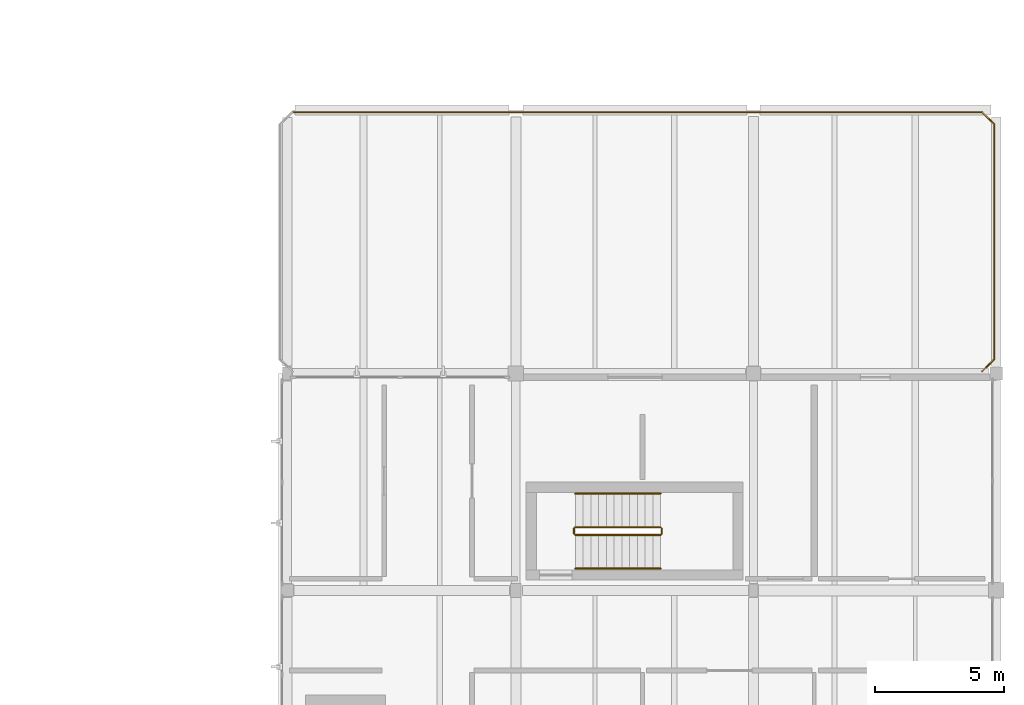
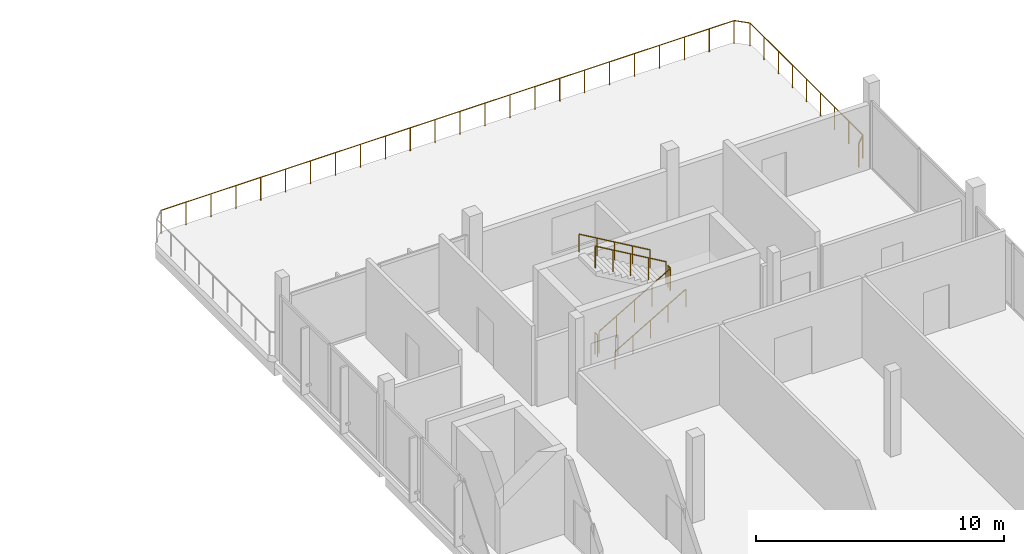
# One storey, part 41 of 41: 10 railings.
"""IFC4 building model written with IfcOpenShell, lengths in metres."""

from ifc_helpers import new_model, si_unit, direction, frame, origin, origin_2d, place, context, subcontext, project, spatial, circle, extrude, material, type_object, element, save


model = new_model("IFC4")

# Units and contexts
model_context = context("Model", 3, precision=1e-05, world=origin(), true_north=direction((0.0, 1.0)))
body_context = subcontext(model_context, "Body", "Model", "MODEL_VIEW")
ifc_project = project(units=[si_unit("LENGTHUNIT", "METRE"), si_unit("AREAUNIT", "SQUARE_METRE"), si_unit("VOLUMEUNIT", "CUBIC_METRE"), si_unit("PLANEANGLEUNIT", "RADIAN"), si_unit("MASSUNIT", "GRAM", prefix="KILO")], contexts=[model_context])

# Site, building, storey
site_placement = place(None, origin())
site = spatial("IfcSite", under=ifc_project, at=site_placement, CompositionType="ELEMENT")
building_placement = place(site_placement, origin())
building = spatial("IfcBuilding", under=site, at=building_placement, Name="Birchvale Park Specialist Clinic", CompositionType="ELEMENT")
storey_placement = place(building_placement, frame((0.0, 0.0, 9.60009765625)))
storey = spatial("IfcBuildingStorey", under=building, at=storey_placement, Name="L02", CompositionType="ELEMENT", Elevation=9.60009765625)

# Railings
ifc_material_1 = material(Name="Brushed stainless steel and laminated glass balustrade", Category="steel")
railing_type_1 = type_object("IfcRailingType", Name="RL-BAL2", PredefinedType="BALUSTRADE", material=ifc_material_1)
railing_1_placement = place(storey_placement, frame((155.25, 91.280029296875, 0.0)))
element("IfcRailing", 1, at=railing_1_placement, inside=storey, type_object=railing_type_1, Name="V6 L02 roof terrace guard balustrade 52", PredefinedType="BALUSTRADE", context=body_context, shape_type="SweptSolid", body=[
    extrude(circle(Radius=0.02392578125, at=origin_2d()), frame((0.0, 0.0, 1.1259765625), z_axis=(0.707106781187, 0.707106781187, 0.0), x_axis=(-0.707106781187, 0.707106781187, 0.0)), (0.0, 0.0, 1.0), 0.66455078125),
    extrude(circle(Radius=0.02099609375, at=origin_2d()), origin(), (0.0, 0.0, 1.0), 1.101806640625),
    extrude(circle(Radius=0.02099609375, at=origin_2d()), frame((0.469970703125, 0.469970703125, 0.0)), (0.0, 0.0, 1.0), 1.101806640625),
])
railing_2_placement = place(storey_placement, frame((155.719970703125, 91.75, 0.0)))
element("IfcRailing", 2, at=railing_2_placement, inside=storey, type_object=railing_type_1, Name="V6 L02 roof terrace guard balustrade 53", PredefinedType="BALUSTRADE", context=body_context, shape_type="SweptSolid", body=[
    extrude(circle(Radius=0.02392578125, at=origin_2d()), frame((0.0, 0.0, 1.1259765625), z_axis=(0.0, 1.0, 0.0), x_axis=(-1.0, 0.0, 0.0)), (0.0, 0.0, 1.0), 9.10009765625),
    extrude(circle(Radius=0.02099609375, at=origin_2d()), origin(), (0.0, 0.0, 1.0), 1.101806640625),
    extrude(circle(Radius=0.02099609375, at=origin_2d()), frame((0.0, 1.137451171875, 0.0)), (0.0, 0.0, 1.0), 1.101806640625),
    extrude(circle(Radius=0.02099609375, at=origin_2d()), frame((0.0, 2.27490234375, 0.0)), (0.0, 0.0, 1.0), 1.101806640625),
    extrude(circle(Radius=0.02099609375, at=origin_2d()), frame((0.0, 3.41259765625, 0.0)), (0.0, 0.0, 1.0), 1.101806640625),
    extrude(circle(Radius=0.02099609375, at=origin_2d()), frame((0.0, 4.550048828125, 0.0)), (0.0, 0.0, 1.0), 1.101806640625),
    extrude(circle(Radius=0.02099609375, at=origin_2d()), frame((0.0, 5.6875, 0.0)), (0.0, 0.0, 1.0), 1.101806640625),
    extrude(circle(Radius=0.02099609375, at=origin_2d()), frame((0.0, 6.8251953125, 0.0)), (0.0, 0.0, 1.0), 1.101806640625),
    extrude(circle(Radius=0.02099609375, at=origin_2d()), frame((0.0, 7.962646484375, 0.0)), (0.0, 0.0, 1.0), 1.101806640625),
    extrude(circle(Radius=0.02099609375, at=origin_2d()), frame((0.0, 9.10009765625, 0.0)), (0.0, 0.0, 1.0), 1.101806640625),
])
railing_3_placement = place(storey_placement, frame((155.719970703125, 100.85009765625, 0.0)))
element("IfcRailing", 3, at=railing_3_placement, inside=storey, type_object=railing_type_1, Name="V6 L02 roof terrace guard balustrade 54", PredefinedType="BALUSTRADE", context=body_context, shape_type="SweptSolid", body=[
    extrude(circle(Radius=0.02392578125, at=origin_2d()), frame((0.0, 0.0, 1.1259765625), z_axis=(-0.707106781187, 0.707106781187, 0.0), x_axis=(-0.707106781187, -0.707106781187, 0.0)), (0.0, 0.0, 1.0), 0.66455078125),
    extrude(circle(Radius=0.02099609375, at=origin_2d()), origin(), (0.0, 0.0, 1.0), 1.101806640625),
    extrude(circle(Radius=0.02099609375, at=origin_2d()), frame((-0.469970703125, 0.469970703125, 0.0)), (0.0, 0.0, 1.0), 1.101806640625),
])
railing_4_placement = place(storey_placement, frame((155.25, 101.320068359375, 0.0)))
element("IfcRailing", 4, at=railing_4_placement, inside=storey, type_object=railing_type_1, Name="V6 L02 roof terrace guard balustrade 55", PredefinedType="BALUSTRADE", context=body_context, shape_type="SweptSolid", body=[
    extrude(circle(Radius=0.02392578125, at=origin_2d()), frame((0.0, 0.0, 1.1259765625), z_axis=(-1.0, 0.0, 0.0), x_axis=(0.0, -1.0, 0.0)), (0.0, 0.0, 1.0), 26.699951171875),
    extrude(circle(Radius=0.02099609375, at=origin_2d()), origin(), (0.0, 0.0, 1.0), 1.101806640625),
    extrude(circle(Radius=0.02099609375, at=origin_2d()), frame((-1.160888671875, 0.0, 0.0)), (0.0, 0.0, 1.0), 1.101806640625),
    extrude(circle(Radius=0.02099609375, at=origin_2d()), frame((-2.32177734375, 0.0, 0.0)), (0.0, 0.0, 1.0), 1.101806640625),
    extrude(circle(Radius=0.02099609375, at=origin_2d()), frame((-3.482666015625, 0.0, 0.0)), (0.0, 0.0, 1.0), 1.101806640625),
    extrude(circle(Radius=0.02099609375, at=origin_2d()), frame((-4.6435546875, 0.0, 0.0)), (0.0, 0.0, 1.0), 1.101806640625),
    extrude(circle(Radius=0.02099609375, at=origin_2d()), frame((-5.804443359375, 0.0, 0.0)), (0.0, 0.0, 1.0), 1.101806640625),
    extrude(circle(Radius=0.02099609375, at=origin_2d()), frame((-6.965087890625, 0.0, 0.0)), (0.0, 0.0, 1.0), 1.101806640625),
    extrude(circle(Radius=0.02099609375, at=origin_2d()), frame((-8.1259765625, 0.0, 0.0)), (0.0, 0.0, 1.0), 1.101806640625),
    extrude(circle(Radius=0.02099609375, at=origin_2d()), frame((-9.286865234375, 0.0, 0.0)), (0.0, 0.0, 1.0), 1.101806640625),
    extrude(circle(Radius=0.02099609375, at=origin_2d()), frame((-10.44775390625, 0.0, 0.0)), (0.0, 0.0, 1.0), 1.101806640625),
    extrude(circle(Radius=0.02099609375, at=origin_2d()), frame((-11.608642578125, 0.0, 0.0)), (0.0, 0.0, 1.0), 1.101806640625),
    extrude(circle(Radius=0.02099609375, at=origin_2d()), frame((-12.76953125, 0.0, 0.0)), (0.0, 0.0, 1.0), 1.101806640625),
    extrude(circle(Radius=0.02099609375, at=origin_2d()), frame((-13.930419921875, 0.0, 0.0)), (0.0, 0.0, 1.0), 1.101806640625),
    extrude(circle(Radius=0.02099609375, at=origin_2d()), frame((-15.09130859375, 0.0, 0.0)), (0.0, 0.0, 1.0), 1.101806640625),
    extrude(circle(Radius=0.02099609375, at=origin_2d()), frame((-16.252197265625, 0.0, 0.0)), (0.0, 0.0, 1.0), 1.101806640625),
    extrude(circle(Radius=0.02099609375, at=origin_2d()), frame((-17.4130859375, 0.0, 0.0)), (0.0, 0.0, 1.0), 1.101806640625),
    extrude(circle(Radius=0.02099609375, at=origin_2d()), frame((-18.573974609375, 0.0, 0.0)), (0.0, 0.0, 1.0), 1.101806640625),
    extrude(circle(Radius=0.02099609375, at=origin_2d()), frame((-19.73486328125, 0.0, 0.0)), (0.0, 0.0, 1.0), 1.101806640625),
    extrude(circle(Radius=0.02099609375, at=origin_2d()), frame((-20.8955078125, 0.0, 0.0)), (0.0, 0.0, 1.0), 1.101806640625),
    extrude(circle(Radius=0.02099609375, at=origin_2d()), frame((-22.056396484375, 0.0, 0.0)), (0.0, 0.0, 1.0), 1.101806640625),
    extrude(circle(Radius=0.02099609375, at=origin_2d()), frame((-23.21728515625, 0.0, 0.0)), (0.0, 0.0, 1.0), 1.101806640625),
    extrude(circle(Radius=0.02099609375, at=origin_2d()), frame((-24.378173828125, 0.0, 0.0)), (0.0, 0.0, 1.0), 1.101806640625),
    extrude(circle(Radius=0.02099609375, at=origin_2d()), frame((-25.5390625, 0.0, 0.0)), (0.0, 0.0, 1.0), 1.101806640625),
    extrude(circle(Radius=0.02099609375, at=origin_2d()), frame((-26.699951171875, 0.0, 0.0)), (0.0, 0.0, 1.0), 1.101806640625),
])
ifc_material_2 = material(Name="Brushed stainless steel guard railing", Category="steel")
railing_type_2 = type_object("IfcRailingType", Name="RL-GRD1", PredefinedType="GUARDRAIL", material=ifc_material_2)
railing_5_placement = place(storey_placement, frame((139.5, 84.949951171875, 0.1748046875)))
element("IfcRailing", 5, at=railing_5_placement, inside=storey, type_object=railing_type_2, Name="L02 ST3 stair guard 1", PredefinedType="GUARDRAIL", context=body_context, shape_type="SweptSolid", body=[
    extrude(circle(Radius=0.02392578125, at=origin_2d()), frame((0.0, 0.0, 1.076171875), z_axis=(0.863776583165, 0.0, 0.503874998761), x_axis=(0.0, 1.0, 0.0)), (0.0, 0.0, 1.0), 3.820556640625),
    extrude(circle(Radius=0.02099609375, at=origin_2d()), origin(), (0.0, 0.0, 1.0), 1.052001953125),
    extrude(circle(Radius=0.02099609375, at=origin_2d()), frame((0.824951171875, 0.0, 0.481201171875)), (0.0, 0.0, 1.0), 1.052001953125),
    extrude(circle(Radius=0.02099609375, at=origin_2d()), frame((1.64990234375, 0.0, 0.96240234375)), (0.0, 0.0, 1.0), 1.052001953125),
    extrude(circle(Radius=0.02099609375, at=origin_2d()), frame((2.47509765625, 0.0, 1.44384765625)), (0.0, 0.0, 1.0), 1.052001953125),
    extrude(circle(Radius=0.02099609375, at=origin_2d()), frame((3.300048828125, 0.0, 1.925048828125)), (0.0, 0.0, 1.0), 1.052001953125),
])
railing_6_placement = place(storey_placement, frame((142.85009765625, 85.0, 2.099853515625)))
element("IfcRailing", 6, at=railing_6_placement, inside=storey, type_object=railing_type_2, Name="L02 ST3 stair guard 2", PredefinedType="GUARDRAIL", context=body_context, shape_type="SweptSolid", body=[
    extrude(circle(Radius=0.02392578125, at=origin_2d()), frame((0.0, 0.0, 1.076171875), z_axis=(0.0, 1.0, 0.0), x_axis=(-1.0, 0.0, 0.0)), (0.0, 0.0, 1.0), 0.199951171875),
    extrude(circle(Radius=0.02099609375, at=origin_2d()), origin(), (0.0, 0.0, 1.0), 1.052001953125),
    extrude(circle(Radius=0.02099609375, at=origin_2d()), frame((0.0, 0.199951171875, 0.0)), (0.0, 0.0, 1.0), 1.052001953125),
])
railing_7_placement = place(storey_placement, frame((142.800048828125, 85.25, 2.27490234375)))
element("IfcRailing", 7, at=railing_7_placement, inside=storey, type_object=railing_type_2, Name="L02 ST3 stair guard 3", PredefinedType="GUARDRAIL", context=body_context, shape_type="SweptSolid", body=[
    extrude(circle(Radius=0.02392578125, at=origin_2d()), frame((0.0, 0.0, 1.076171875), z_axis=(-0.863776583165, 0.0, 0.503874998761), x_axis=(0.0, -1.0, 0.0)), (0.0, 0.0, 1.0), 3.820556640625),
    extrude(circle(Radius=0.02099609375, at=origin_2d()), origin(), (0.0, 0.0, 1.0), 1.052001953125),
    extrude(circle(Radius=0.02099609375, at=origin_2d()), frame((-0.824951171875, 0.0, 0.481201171875)), (0.0, 0.0, 1.0), 1.052001953125),
    extrude(circle(Radius=0.02099609375, at=origin_2d()), frame((-1.64990234375, 0.0, 0.96240234375)), (0.0, 0.0, 1.0), 1.052001953125),
    extrude(circle(Radius=0.02099609375, at=origin_2d()), frame((-2.47509765625, 0.0, 1.44384765625)), (0.0, 0.0, 1.0), 1.052001953125),
    extrude(circle(Radius=0.02099609375, at=origin_2d()), frame((-3.300048828125, 0.0, 1.925048828125)), (0.0, 0.0, 1.0), 1.052001953125),
])
railing_8_placement = place(storey_placement, frame((139.449951171875, 85.0, 0.0)))
element("IfcRailing", 8, at=railing_8_placement, inside=storey, type_object=railing_type_2, Name="L02 ST3 stair guard 4", PredefinedType="GUARDRAIL", context=body_context, shape_type="SweptSolid", body=[
    extrude(circle(Radius=0.02392578125, at=origin_2d()), frame((0.0, 0.0, 1.076171875), z_axis=(0.0, 1.0, 0.0), x_axis=(-1.0, 0.0, 0.0)), (0.0, 0.0, 1.0), 0.199951171875),
    extrude(circle(Radius=0.02099609375, at=origin_2d()), origin(), (0.0, 0.0, 1.0), 1.052001953125),
    extrude(circle(Radius=0.02099609375, at=origin_2d()), frame((0.0, 0.199951171875, 0.0)), (0.0, 0.0, 1.0), 1.052001953125),
])
ifc_material_3 = material(Name="Anodised aluminium handrail", Category="aluminium")
railing_type_3 = type_object("IfcRailingType", Name="RL-HND1", PredefinedType="HANDRAIL", material=ifc_material_3)
railing_9_placement = place(storey_placement, frame((139.5, 83.64990234375, 0.1748046875)))
element("IfcRailing", 9, at=railing_9_placement, inside=storey, type_object=railing_type_3, Name="L02 ST3 stair handrail 1", PredefinedType="HANDRAIL", context=body_context, shape_type="SweptSolid", body=[
    extrude(circle(Radius=0.02392578125, at=origin_2d()), frame((0.0, 0.0, 0.8759765625), z_axis=(0.863776583165, 0.0, 0.503874998761), x_axis=(0.0, 1.0, 0.0)), (0.0, 0.0, 1.0), 3.820556640625),
    extrude(circle(Radius=0.02099609375, at=origin_2d()), origin(), (0.0, 0.0, 1.0), 0.851806640625),
    extrude(circle(Radius=0.02099609375, at=origin_2d()), frame((0.824951171875, 0.0, 0.481201171875)), (0.0, 0.0, 1.0), 0.851806640625),
    extrude(circle(Radius=0.02099609375, at=origin_2d()), frame((1.64990234375, 0.0, 0.96240234375)), (0.0, 0.0, 1.0), 0.851806640625),
    extrude(circle(Radius=0.02099609375, at=origin_2d()), frame((2.47509765625, 0.0, 1.44384765625)), (0.0, 0.0, 1.0), 0.851806640625),
    extrude(circle(Radius=0.02099609375, at=origin_2d()), frame((3.300048828125, 0.0, 1.925048828125)), (0.0, 0.0, 1.0), 0.851806640625),
])
railing_10_placement = place(storey_placement, frame((142.800048828125, 86.550048828125, 2.27490234375)))
element("IfcRailing", 10, at=railing_10_placement, inside=storey, type_object=railing_type_3, Name="L02 ST3 stair handrail 2", PredefinedType="HANDRAIL", context=body_context, shape_type="SweptSolid", body=[
    extrude(circle(Radius=0.02392578125, at=origin_2d()), frame((0.0, 0.0, 0.8759765625), z_axis=(-0.863776583165, 0.0, 0.503874998761), x_axis=(0.0, -1.0, 0.0)), (0.0, 0.0, 1.0), 3.820556640625),
    extrude(circle(Radius=0.02099609375, at=origin_2d()), origin(), (0.0, 0.0, 1.0), 0.851806640625),
    extrude(circle(Radius=0.02099609375, at=origin_2d()), frame((-0.824951171875, 0.0, 0.481201171875)), (0.0, 0.0, 1.0), 0.851806640625),
    extrude(circle(Radius=0.02099609375, at=origin_2d()), frame((-1.64990234375, 0.0, 0.96240234375)), (0.0, 0.0, 1.0), 0.851806640625),
    extrude(circle(Radius=0.02099609375, at=origin_2d()), frame((-2.47509765625, 0.0, 1.44384765625)), (0.0, 0.0, 1.0), 0.851806640625),
    extrude(circle(Radius=0.02099609375, at=origin_2d()), frame((-3.300048828125, 0.0, 1.925048828125)), (0.0, 0.0, 1.0), 0.851806640625),
])

save(model, "model.ifc")
